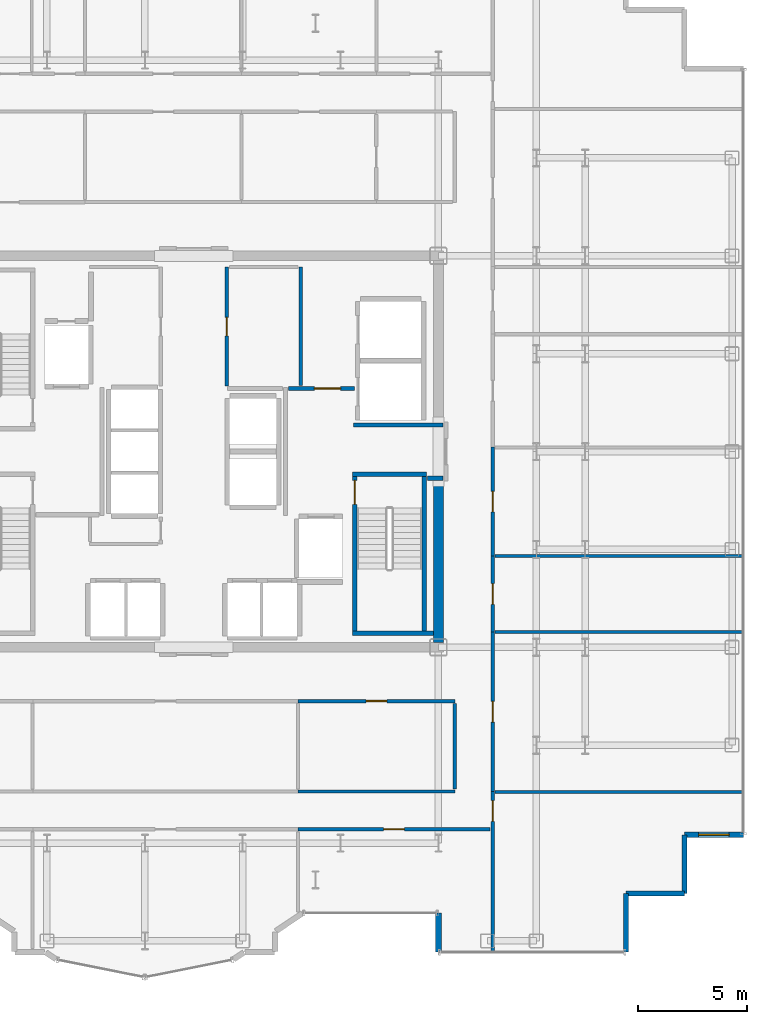
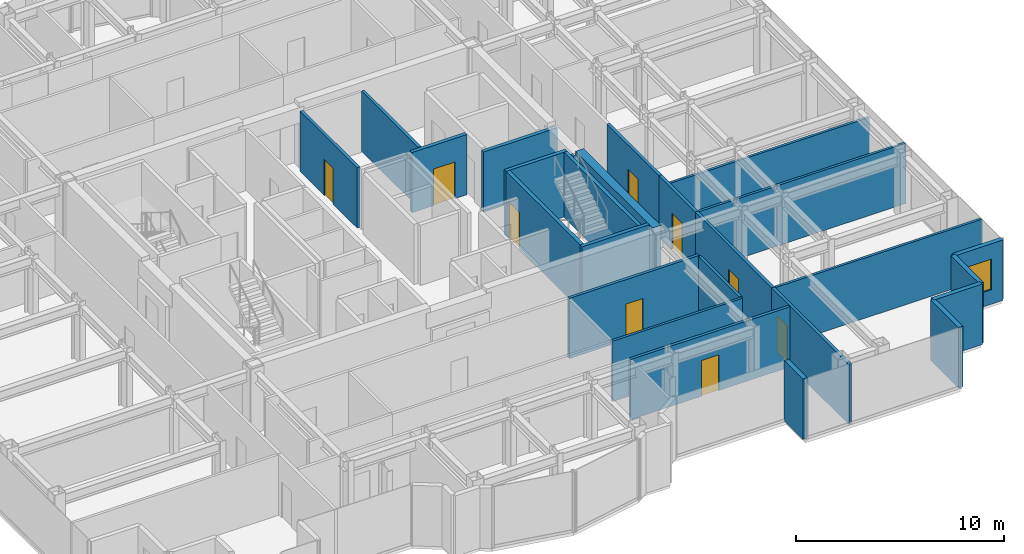
# One storey, part 16 of 20: 26 walls, 9 doors, 1 window, 10 openings.
"""IFC4 building model written with IfcOpenShell, lengths in metres."""

from ifc_helpers import new_model, si_unit, direction, frame, frame_2d, origin, place, context, subcontext, project, spatial, rectangle, extrude, source, transform, mapped, material, layer, layer_set, type_object, element, fill, save


model = new_model("IFC4")

# Units and contexts
model_context = context("Model", 3, precision=1e-05, world=origin(), true_north=direction((0.0, 1.0)))
body_context = subcontext(model_context, "Body", "Model", "MODEL_VIEW")
ifc_project = project(units=[si_unit("LENGTHUNIT", "METRE"), si_unit("AREAUNIT", "SQUARE_METRE"), si_unit("VOLUMEUNIT", "CUBIC_METRE"), si_unit("PLANEANGLEUNIT", "RADIAN"), si_unit("MASSUNIT", "GRAM", prefix="KILO")], contexts=[model_context])

# Site, building, storey
site_placement = place(None, origin())
site = spatial("IfcSite", under=ifc_project, at=site_placement, CompositionType="ELEMENT")
building_placement = place(site_placement, origin())
building = spatial("IfcBuilding", under=site, at=building_placement, Name="Nefas-Gora Pilgrimage Tower", CompositionType="ELEMENT")
storey_placement = place(building_placement, frame((0.0, 0.0, 244.60009765625)))
storey = spatial("IfcBuildingStorey", under=building, at=storey_placement, Name="L61", CompositionType="ELEMENT", Elevation=244.60009765625)

# Walls
ifc_material_1 = material(Name="Concrete C50/60", Category="concrete")
ifc_layer_1 = layer(ifc_material_1, 0.449951171875)
ifc_layer_set_1 = layer_set([ifc_layer_1], Name="Concrete C50/60")
wall_type_1 = type_object("IfcWallType", Name="SW-CORE-450", PredefinedType="SHEAR", material=ifc_layer_set_1)
shared_shape_1 = source(origin(), body_context, "Body", "SweptSolid", [
    extrude(rectangle(XDim=7.4248046875, YDim=0.449951171875, at=frame_2d((3.71240234375, 0.0))), origin(), (0.0, 0.0, 1.0), 3.7998046875),
])
wall_1_placement = place(storey_placement, frame((11.25, -8.77490234375, 0.0), z_axis=(0.0, 0.0, 1.0), x_axis=(0.0, 1.0, 0.0)))
element("IfcWall", 1, at=wall_1_placement, inside=storey, type_object=wall_type_1, Name="L61 Core Shear Wall E-South", PredefinedType="SHEAR", context=body_context, shape_type="MappedRepresentation", body=[
    mapped(shared_shape_1, transform((0.0, 0.0, 0.0), x_axis=(1.0, 0.0, 0.0), y_axis=(0.0, 1.0, 0.0), z_axis=(0.0, 0.0, 1.0), scale=1.0)),
])
ifc_material_2 = material(Name="Precast concrete C40/50", Category="concrete")
ifc_layer_2 = layer(ifc_material_2, 0.260009765625)
ifc_layer_set_2 = layer_set([ifc_layer_2], Name="Precast concrete C40/50")
wall_type_2 = type_object("IfcWallType", Name="EW-PORTAL-260", PredefinedType="SOLIDWALL", material=ifc_layer_set_2)
shared_shape_2 = source(origin(), body_context, "Body", "SweptSolid", [
    extrude(rectangle(XDim=1.800048828125, YDim=0.260009765625, at=frame_2d((0.89990234375, 0.0))), origin(), (0.0, 0.0, 1.0), 3.5498046875),
])
wall_2_placement = place(storey_placement, frame((11.25, -21.219970703125, 0.0), z_axis=(0.0, 0.0, 1.0), x_axis=(0.0, -1.0, 0.0)))
element("IfcWall", 2, at=wall_2_placement, inside=storey, type_object=wall_type_2, Name="L61 Lobe Shoulder Precast Spandrel Pier 1", PredefinedType="SOLIDWALL", context=body_context, shape_type="MappedRepresentation", body=[
    mapped(shared_shape_2, transform((0.0, 0.0, 0.0), x_axis=(1.0, 0.0, 0.0), y_axis=(0.0, 1.0, 0.0), z_axis=(0.0, 0.0, 1.0), scale=1.0)),
])
ifc_material_3 = material(Name="Precast concrete C45/55", Category="concrete")
ifc_layer_3 = layer(ifc_material_3, 0.239990234375)
ifc_layer_set_3 = layer_set([ifc_layer_3], Name="Precast concrete C45/55")
wall_type_3 = type_object("IfcWallType", Name="EW-SERR-240", PredefinedType="SHEAR", material=ifc_layer_set_3)
shared_shape_3 = source(origin(), body_context, "Body", "SweptSolid", [
    extrude(rectangle(XDim=2.699951171875, YDim=0.239990234375, at=frame_2d((1.35009765625, 0.0))), origin(), (0.0, 0.0, 1.0), 3.5498046875),
])
for number, where, z_axis, x_axis, name in (
    (3, (19.8701171875, -23.02001953125, 0.0), (0.0, 0.0, 1.0), (0.0, 1.0, 0.0), "L61 Serrated Corner Shear Pier Wall 2"),
    (4, (19.8701171875, -20.320068359375, 0.0), (0.0, 0.0, 1.0), (1.0, 0.0, 0.0), "L61 Serrated Corner Shear Pier Wall 3"),
    (5, (22.570068359375, -20.320068359375, 0.0), (0.0, 0.0, 1.0), (0.0, 1.0, 0.0), "L61 Serrated Corner Shear Pier Wall 4"),
):
    element("IfcWall", number, at=place(storey_placement, frame(where, z_axis=z_axis, x_axis=x_axis)), inside=storey, type_object=wall_type_3, Name=name, PredefinedType="SHEAR", context=body_context, shape_type="MappedRepresentation", body=[
        mapped(shared_shape_3, transform((0.0, 0.0, 0.0), x_axis=(1.0, 0.0, 0.0), y_axis=(0.0, 1.0, 0.0), z_axis=(0.0, 0.0, 1.0), scale=1.0)),
    ])

# Wall, opening, window
wall_3_placement = place(storey_placement, frame((22.570068359375, -17.6201171875, 0.0), z_axis=(0.0, 0.0, 1.0), x_axis=(1.0, 0.0, 0.0)))
wall_3 = element("IfcWall", 6, at=wall_3_placement, inside=storey, type_object=wall_type_3, Name="L61 Serrated Corner Shear Pier Wall 5", PredefinedType="SHEAR", context=body_context, shape_type="MappedRepresentation", body=[
    mapped(shared_shape_3, transform((0.0, 0.0, 0.0), x_axis=(1.0, 0.0, 0.0), y_axis=(0.0, 1.0, 0.0), z_axis=(0.0, 0.0, 1.0), scale=1.0)),
])
opening_1_placement = place(wall_3_placement, frame((0.64990234375, 0.0, 0.85009765625)))
opening_1 = element("IfcOpeningElement", 7, at=opening_1_placement, cuts=wall_3, Name="Opening W-V2", PredefinedType="OPENING", context=body_context, shape_type="SweptSolid", body=[
    extrude(rectangle(XDim=1.39990234375, YDim=1.800048828125, at=frame_2d((0.699951171875, 0.89990234375))), frame((0.0, 0.1298828125, 0.0), z_axis=(0.0, -1.0, 0.0), x_axis=(1.0, 0.0, 0.0)), (0.0, 0.0, 1.0), 0.260009765625),
])
ifc_material_4 = material(Name="Dark ceramic-fritted operable aluminium-glass window", Category="aluminium")
window_type = type_object("IfcWindowType", Name="WIN-VENT-1400x1800", PartitioningType="SINGLE_PANEL", PredefinedType="WINDOW", material=ifc_material_4)
shared_shape_4 = source(origin(), body_context, "Body", "SweptSolid", [
    extrude(rectangle(XDim=1.39990234375, YDim=1.800048828125, at=frame_2d((0.699951171875, 0.89990234375))), frame((0.0, 0.030029296875, 0.0), z_axis=(0.0, -1.0, 0.0), x_axis=(1.0, 0.0, 0.0)), (0.0, 0.0, 1.0), 0.06005859375),
])
window_placement = place(opening_1_placement, origin())
window = element("IfcWindow", 8, at=window_placement, inside=storey, type_object=window_type, Name="L61 Operable Parallel-Outswing Window 5", OverallHeight=1.800048828125, OverallWidth=1.39990234375, PartitioningType="SINGLE_PANEL", PredefinedType="WINDOW", context=body_context, shape_type="MappedRepresentation", body=[
    mapped(shared_shape_4, transform((0.0, 0.0, 0.0), x_axis=(1.0, 0.0, 0.0), y_axis=(0.0, 1.0, 0.0), z_axis=(0.0, 0.0, 1.0), scale=1.0)),
])
fill(opening_1, window)

# Wall
ifc_material_5 = material(Name="Concrete C45/55", Category="concrete")
ifc_layer_4 = layer(ifc_material_5, 0.199951171875)
ifc_layer_set_4 = layer_set([ifc_layer_4], Name="Concrete C45/55")
wall_type_4 = type_object("IfcWallType", Name="IW-STAIR-200", PredefinedType="SOLIDWALL", material=ifc_layer_set_4)
shared_shape_5 = source(origin(), body_context, "Body", "SweptSolid", [
    extrude(rectangle(XDim=3.39990234375, YDim=0.199951171875, at=frame_2d((1.699951171875, 0.0))), origin(), (0.0, 0.0, 1.0), 3.7998046875),
])
wall_4_placement = place(storey_placement, frame((7.300048828125, -1.050048828125, 0.0), z_axis=(0.0, 0.0, 1.0), x_axis=(1.0, 0.0, 0.0)))
element("IfcWall", 9, at=wall_4_placement, inside=storey, type_object=wall_type_4, Name="L61 Stairwell Shear Wall ST-02-near", PredefinedType="SOLIDWALL", context=body_context, shape_type="MappedRepresentation", body=[
    mapped(shared_shape_5, transform((0.0, 0.0, 0.0), x_axis=(1.0, 0.0, 0.0), y_axis=(0.0, 1.0, 0.0), z_axis=(0.0, 0.0, 1.0), scale=1.0)),
])

# Wall, opening, door
shared_shape_6 = source(origin(), body_context, "Body", "SweptSolid", [
    extrude(rectangle(XDim=7.10009765625, YDim=0.199951171875, at=frame_2d((3.550048828125, 0.0))), origin(), (0.0, 0.0, 1.0), 3.7998046875),
])
wall_5_placement = place(storey_placement, frame((7.39990234375, -1.14990234375, 0.0), z_axis=(0.0, 0.0, 1.0), x_axis=(0.0, -1.0, 0.0)))
wall_5 = element("IfcWall", 10, at=wall_5_placement, inside=storey, type_object=wall_type_4, Name="L61 Stairwell Shear Wall ST-02-left", PredefinedType="SOLIDWALL", context=body_context, shape_type="MappedRepresentation", body=[
    mapped(shared_shape_6, transform((0.0, 0.0, 0.0), x_axis=(1.0, 0.0, 0.0), y_axis=(0.0, 1.0, 0.0), z_axis=(0.0, 0.0, 1.0), scale=1.0)),
])
opening_2_placement = place(wall_5_placement, frame((0.179931640625, 0.0, 0.0)))
opening_2 = element("IfcOpeningElement", 11, at=opening_2_placement, cuts=wall_5, Name="Opening ID-ST1", PredefinedType="OPENING", context=body_context, shape_type="SweptSolid", body=[
    extrude(rectangle(XDim=1.10009765625, YDim=2.14990234375, at=frame_2d((0.550048828125, 1.074951171875))), frame((0.0, 0.10986328125, 0.0), z_axis=(0.0, -1.0, 0.0), x_axis=(1.0, 0.0, 0.0)), (0.0, 0.0, 1.0), 0.219970703125),
])
ifc_material_6 = material(Name="Painted galvanised steel fire stair door", Category="steel")
door_type_1 = type_object("IfcDoorType", Name="DR-INT-STAIR-1100", OperationType="NOTDEFINED", PredefinedType="DOOR", material=ifc_material_6)
shared_shape_7 = source(origin(), body_context, "Body", "SweptSolid", [
    extrude(rectangle(XDim=1.10009765625, YDim=2.14990234375, at=frame_2d((0.550048828125, 1.074951171875))), frame((0.0, 0.02490234375, 0.0), z_axis=(0.0, -1.0, 0.0), x_axis=(1.0, 0.0, 0.0)), (0.0, 0.0, 1.0), 0.050048828125),
])
door_1_placement = place(opening_2_placement, origin())
door_1 = element("IfcDoor", 12, at=door_1_placement, inside=storey, type_object=door_type_1, Name="L61 Protected Exit Stair Door ST-02", OperationType="SINGLE_SWING_RIGHT", OverallHeight=2.14990234375, OverallWidth=1.10009765625, PredefinedType="DOOR", context=body_context, shape_type="MappedRepresentation", body=[
    mapped(shared_shape_7, transform((0.0, 0.0, 0.0), x_axis=(1.0, 0.0, 0.0), y_axis=(0.0, 1.0, 0.0), z_axis=(0.0, 0.0, 1.0), scale=1.0)),
])
fill(opening_2, door_1)

# Walls
wall_6_placement = place(storey_placement, frame((10.60009765625, -1.14990234375, 0.0), z_axis=(0.0, 0.0, 1.0), x_axis=(0.0, -1.0, 0.0)))
element("IfcWall", 13, at=wall_6_placement, inside=storey, type_object=wall_type_4, Name="L61 Stairwell Shear Wall ST-02-right", PredefinedType="SOLIDWALL", context=body_context, shape_type="MappedRepresentation", body=[
    mapped(shared_shape_6, transform((0.0, 0.0, 0.0), x_axis=(1.0, 0.0, 0.0), y_axis=(0.0, 1.0, 0.0), z_axis=(0.0, 0.0, 1.0), scale=1.0)),
])
shared_shape_8 = source(origin(), body_context, "Body", "SweptSolid", [
    extrude(rectangle(XDim=3.72998046875, YDim=0.199951171875, at=frame_2d((1.864990234375, 0.0))), origin(), (0.0, 0.0, 1.0), 3.7998046875),
])
wall_7_placement = place(storey_placement, frame((7.300048828125, -8.35009765625, 0.0), z_axis=(0.0, 0.0, 1.0), x_axis=(1.0, 0.0, 0.0)))
element("IfcWall", 14, at=wall_7_placement, inside=storey, type_object=wall_type_4, Name="L61 Stairwell Shear Wall ST-02-far", PredefinedType="SOLIDWALL", context=body_context, shape_type="MappedRepresentation", body=[
    mapped(shared_shape_8, transform((0.0, 0.0, 0.0), x_axis=(1.0, 0.0, 0.0), y_axis=(0.0, 1.0, 0.0), z_axis=(0.0, 0.0, 1.0), scale=1.0)),
])
ifc_material_7 = material(Name="Gypsum fire-rated shaftwall")
ifc_layer_5 = layer(ifc_material_7, 0.199951171875)
ifc_layer_set_5 = layer_set([ifc_layer_5], Name="Gypsum fire-rated shaftwall")
wall_type_5 = type_object("IfcWallType", Name="IW-FFLOB-200", PredefinedType="PARTITIONING", material=ifc_layer_set_5)
shared_shape_9 = source(origin(), body_context, "Body", "SweptSolid", [
    extrude(rectangle(XDim=0.719970703125, YDim=0.199951171875, at=frame_2d((0.35986328125, 0.0))), origin(), (0.0, 0.0, 1.0), 3.534912109375),
])
wall_8_placement = place(storey_placement, frame((10.739990234375, -1.219970703125, 0.0), z_axis=(0.0, 0.0, 1.0), x_axis=(1.0, 0.0, 0.0)))
element("IfcWall", 15, at=wall_8_placement, inside=storey, type_object=wall_type_5, Name="L61 FF Lobby East Throat S Wall 14", PredefinedType="PARTITIONING", context=body_context, shape_type="MappedRepresentation", body=[
    mapped(shared_shape_9, transform((0.0, 0.0, 0.0), x_axis=(1.0, 0.0, 0.0), y_axis=(0.0, 1.0, 0.0), z_axis=(0.0, 0.0, 1.0), scale=1.0)),
])

# Wall, opening, door
shared_shape_10 = source(origin(), body_context, "Body", "SweptSolid", [
    extrude(rectangle(XDim=3.039794921875, YDim=0.199951171875, at=frame_2d((1.52001953125, 0.0))), origin(), (0.0, 0.0, 1.0), 3.534912109375),
])
wall_9_placement = place(storey_placement, frame((4.360107421875, 2.89990234375, 0.0), z_axis=(0.0, 0.0, 1.0), x_axis=(1.0, 0.0, 0.0)))
wall_9 = element("IfcWall", 16, at=wall_9_placement, inside=storey, type_object=wall_type_5, Name="L61 FF Lobby East North Wall Wall 12", PredefinedType="PARTITIONING", context=body_context, shape_type="MappedRepresentation", body=[
    mapped(shared_shape_10, transform((0.0, 0.0, 0.0), x_axis=(1.0, 0.0, 0.0), y_axis=(0.0, 1.0, 0.0), z_axis=(0.0, 0.0, 1.0), scale=1.0)),
])
opening_3_placement = place(wall_9_placement, frame((1.18994140625, 0.0, 0.0)))
opening_3 = element("IfcOpeningElement", 17, at=opening_3_placement, cuts=wall_9, Name="Opening ID-PL1", PredefinedType="OPENING", context=body_context, shape_type="SweptSolid", body=[
    extrude(rectangle(XDim=1.199951171875, YDim=2.14990234375, at=frame_2d((0.60009765625, 1.074951171875))), frame((0.0, 0.10986328125, 0.0), z_axis=(0.0, -1.0, 0.0), x_axis=(1.0, 0.0, 0.0)), (0.0, 0.0, 1.0), 0.219970703125),
])
ifc_material_8 = material(Name="Heavy-duty steel plant room fire door", Category="steel")
door_type_2 = type_object("IfcDoorType", Name="DR-INT-PLANT-1200", OperationType="NOTDEFINED", PredefinedType="DOOR", material=ifc_material_8)
shared_shape_11 = source(origin(), body_context, "Body", "SweptSolid", [
    extrude(rectangle(XDim=1.199951171875, YDim=2.14990234375, at=frame_2d((0.60009765625, 1.074951171875))), frame((0.0, 0.02490234375, 0.0), z_axis=(0.0, -1.0, 0.0), x_axis=(1.0, 0.0, 0.0)), (0.0, 0.0, 1.0), 0.050048828125),
])
door_2_placement = place(opening_3_placement, origin())
door_2 = element("IfcDoor", 18, at=door_2_placement, inside=storey, type_object=door_type_2, Name="L61 Service Lift Lobby Door Door 4", OperationType="SINGLE_SWING_RIGHT", OverallHeight=2.14990234375, OverallWidth=1.199951171875, PredefinedType="DOOR", context=body_context, shape_type="MappedRepresentation", body=[
    mapped(shared_shape_11, transform((0.0, 0.0, 0.0), x_axis=(1.0, 0.0, 0.0), y_axis=(0.0, 1.0, 0.0), z_axis=(0.0, 0.0, 1.0), scale=1.0)),
])
fill(opening_3, door_2)

# Wall
shared_shape_12 = source(origin(), body_context, "Body", "SweptSolid", [
    extrude(rectangle(XDim=4.10986328125, YDim=0.199951171875, at=frame_2d((2.054931640625, 0.0))), origin(), (0.0, 0.0, 1.0), 3.534912109375),
])
wall_10_placement = place(storey_placement, frame((7.35009765625, 1.219970703125, 0.0), z_axis=(0.0, 0.0, 1.0), x_axis=(1.0, 0.0, 0.0)))
element("IfcWall", 19, at=wall_10_placement, inside=storey, type_object=wall_type_5, Name="L61 FF Lobby East Throat N Wall 13", PredefinedType="PARTITIONING", context=body_context, shape_type="MappedRepresentation", body=[
    mapped(shared_shape_12, transform((0.0, 0.0, 0.0), x_axis=(1.0, 0.0, 0.0), y_axis=(0.0, 1.0, 0.0), z_axis=(0.0, 0.0, 1.0), scale=1.0)),
])

# Wall, opening, door
ifc_material_9 = material(Name="Gypsum acoustic stud partition")
ifc_layer_6 = layer(ifc_material_9, 0.159912109375)
ifc_layer_set_6 = layer_set([ifc_layer_6], Name="Gypsum acoustic stud partition")
wall_type_6 = type_object("IfcWallType", Name="IW-CORR-160", PredefinedType="PARTITIONING", material=ifc_layer_set_6)
shared_shape_13 = source(origin(), body_context, "Body", "SweptSolid", [
    extrude(rectangle(XDim=3.510009765625, YDim=0.159912109375, at=frame_2d((1.7548828125, 0.0))), origin(), (0.0, 0.0, 1.0), 3.534912109375),
])
wall_11_placement = place(storey_placement, frame((13.739990234375, -8.304931640625, 0.0), z_axis=(0.0, 0.0, 1.0), x_axis=(0.0, 1.0, 0.0)))
wall_11 = element("IfcWall", 20, at=wall_11_placement, inside=storey, type_object=wall_type_6, Name="L61 Pastoral Chaplains Counselling Office Partition Wall 41", PredefinedType="PARTITIONING", context=body_context, shape_type="MappedRepresentation", body=[
    mapped(shared_shape_13, transform((0.0, 0.0, 0.0), x_axis=(1.0, 0.0, 0.0), y_axis=(0.0, 1.0, 0.0), z_axis=(0.0, 0.0, 1.0), scale=1.0)),
])
opening_4_placement = place(wall_11_placement, frame((1.280029296875, 0.0, 0.0)))
opening_4 = element("IfcOpeningElement", 21, at=opening_4_placement, cuts=wall_11, Name="Opening ID-GR1", PredefinedType="OPENING", context=body_context, shape_type="SweptSolid", body=[
    extrude(rectangle(XDim=0.949951171875, YDim=2.10009765625, at=frame_2d((0.47509765625, 1.050048828125))), frame((0.0, 0.08984375, 0.0), z_axis=(0.0, -1.0, 0.0), x_axis=(1.0, 0.0, 0.0)), (0.0, 0.0, 1.0), 0.179931640625),
])
ifc_material_10 = material(Name="Solid core oak fire-rated guest entrance door")
door_type_3 = type_object("IfcDoorType", Name="DR-INT-GUEST-950", OperationType="NOTDEFINED", PredefinedType="DOOR", material=ifc_material_10)
shared_shape_14 = source(origin(), body_context, "Body", "SweptSolid", [
    extrude(rectangle(XDim=0.949951171875, YDim=2.10009765625, at=frame_2d((0.47509765625, 1.050048828125))), frame((0.0, 0.02490234375, 0.0), z_axis=(0.0, -1.0, 0.0), x_axis=(1.0, 0.0, 0.0)), (0.0, 0.0, 1.0), 0.050048828125),
])
door_3_placement = place(opening_4_placement, origin())
door_3 = element("IfcDoor", 22, at=door_3_placement, inside=storey, type_object=door_type_3, Name="L61 Pastoral Chaplains Counselling Office Door 18", OperationType="SINGLE_SWING_RIGHT", OverallHeight=2.10009765625, OverallWidth=0.949951171875, PredefinedType="DOOR", context=body_context, shape_type="MappedRepresentation", body=[
    mapped(shared_shape_14, transform((0.0, 0.0, 0.0), x_axis=(1.0, 0.0, 0.0), y_axis=(0.0, 1.0, 0.0), z_axis=(0.0, 0.0, 1.0), scale=1.0)),
])
fill(opening_4, door_3)

# Walls
ifc_material_11 = material(Name="Gypsum twin-stud partition")
ifc_layer_7 = layer(ifc_material_11, 0.139892578125)
ifc_layer_set_7 = layer_set([ifc_layer_7], Name="Gypsum twin-stud partition")
wall_type_7 = type_object("IfcWallType", Name="IW-UNIT-140", PredefinedType="PARTITIONING", material=ifc_layer_set_7)
shared_shape_15 = source(origin(), body_context, "Body", "SweptSolid", [
    extrude(rectangle(XDim=11.429931640625, YDim=0.139892578125, at=frame_2d((5.71484375, 0.0))), origin(), (0.0, 0.0, 1.0), 3.534912109375),
])
for number, where, z_axis, x_axis, name in (
    (23, (13.860107421875, -15.6474609375, 0.0), (0.0, 0.0, 1.0), (1.0, 0.0, 0.0), "L61 Pilgrim Tea and Beverage Pantry Partition Wall 38"),
    (24, (13.860107421875, -8.304931640625, 0.0), (0.0, 0.0, 1.0), (1.0, 0.0, 0.0), "L61 Pilgrim Tea and Beverage Pantry Partition Wall 40"),
):
    element("IfcWall", number, at=place(storey_placement, frame(where, z_axis=z_axis, x_axis=x_axis)), inside=storey, type_object=wall_type_7, Name=name, PredefinedType="PARTITIONING", context=body_context, shape_type="MappedRepresentation", body=[
        mapped(shared_shape_15, transform((0.0, 0.0, 0.0), x_axis=(1.0, 0.0, 0.0), y_axis=(0.0, 1.0, 0.0), z_axis=(0.0, 0.0, 1.0), scale=1.0)),
    ])
shared_shape_16 = source(origin(), body_context, "Body", "SweptSolid", [
    extrude(rectangle(XDim=3.929931640625, YDim=0.139892578125, at=frame_2d((1.96484375, 0.0))), origin(), (0.0, 0.0, 1.0), 3.534912109375),
])
wall_12_placement = place(storey_placement, frame((12.0, -15.52001953125, 0.0), z_axis=(0.0, 0.0, 1.0), x_axis=(0.0, 1.0, 0.0)))
element("IfcWall", 25, at=wall_12_placement, inside=storey, type_object=wall_type_7, Name="L61 Pilgrim Contemplative Lounge Partition Wall 87", PredefinedType="PARTITIONING", context=body_context, shape_type="MappedRepresentation", body=[
    mapped(shared_shape_16, transform((0.0, 0.0, 0.0), x_axis=(1.0, 0.0, 0.0), y_axis=(0.0, 1.0, 0.0), z_axis=(0.0, 0.0, 1.0), scale=1.0)),
])
shared_shape_17 = source(origin(), body_context, "Body", "SweptSolid", [
    extrude(rectangle(XDim=5.449951171875, YDim=0.159912109375, at=frame_2d((2.72509765625, 0.0))), origin(), (0.0, 0.0, 1.0), 3.534912109375),
])
wall_13_placement = place(storey_placement, frame((4.919921875, 3.0400390625, 0.0), z_axis=(0.0, 0.0, 1.0), x_axis=(0.0, 1.0, 0.0)))
element("IfcWall", 26, at=wall_13_placement, inside=storey, type_object=wall_type_6, Name="L61 Service Lift Lobby West Wall Wall 17", PredefinedType="PARTITIONING", context=body_context, shape_type="MappedRepresentation", body=[
    mapped(shared_shape_17, transform((0.0, 0.0, 0.0), x_axis=(1.0, 0.0, 0.0), y_axis=(0.0, 1.0, 0.0), z_axis=(0.0, 0.0, 1.0), scale=1.0)),
])

# Wall, opening, door
shared_shape_18 = source(origin(), body_context, "Body", "SweptSolid", [
    extrude(rectangle(XDim=5.47998046875, YDim=0.159912109375, at=frame_2d((2.739990234375, 0.0))), origin(), (0.0, 0.0, 1.0), 3.534912109375),
])
wall_14_placement = place(storey_placement, frame((1.52001953125, 3.010009765625, 0.0), z_axis=(0.0, 0.0, 1.0), x_axis=(0.0, 1.0, 0.0)))
wall_14 = element("IfcWall", 27, at=wall_14_placement, inside=storey, type_object=wall_type_6, Name="L61 Freed Bank-1 Amenity Supply Store Wall 23", PredefinedType="PARTITIONING", context=body_context, shape_type="MappedRepresentation", body=[
    mapped(shared_shape_18, transform((0.0, 0.0, 0.0), x_axis=(1.0, 0.0, 0.0), y_axis=(0.0, 1.0, 0.0), z_axis=(0.0, 0.0, 1.0), scale=1.0)),
])
opening_5_placement = place(wall_14_placement, frame((2.31494140625, 0.0, 0.0)))
opening_5 = element("IfcOpeningElement", 28, at=opening_5_placement, cuts=wall_14, Name="Opening ID-BT1", PredefinedType="OPENING", context=body_context, shape_type="SweptSolid", body=[
    extrude(rectangle(XDim=0.85009765625, YDim=2.10009765625, at=frame_2d((0.425048828125, 1.050048828125))), frame((0.0, 0.08984375, 0.0), z_axis=(0.0, -1.0, 0.0), x_axis=(1.0, 0.0, 0.0)), (0.0, 0.0, 1.0), 0.179931640625),
])
ifc_material_12 = material(Name="Moisture-resistant fire-rated timber door", Category="wood")
door_type_4 = type_object("IfcDoorType", Name="DR-INT-BATH-850", OperationType="NOTDEFINED", PredefinedType="DOOR", material=ifc_material_12)
shared_shape_19 = source(origin(), body_context, "Body", "SweptSolid", [
    extrude(rectangle(XDim=0.85009765625, YDim=2.10009765625, at=frame_2d((0.425048828125, 1.050048828125))), frame((0.0, 0.02490234375, 0.0), z_axis=(0.0, -1.0, 0.0), x_axis=(1.0, 0.0, 0.0)), (0.0, 0.0, 1.0), 0.050048828125),
])
door_4_placement = place(opening_5_placement, origin())
door_4 = element("IfcDoor", 29, at=door_4_placement, inside=storey, type_object=door_type_4, Name="L61 Freed Bank-1 Amenity Supply Store Door 9", OperationType="SINGLE_SWING_LEFT", OverallHeight=2.10009765625, OverallWidth=0.85009765625, PredefinedType="DOOR", context=body_context, shape_type="MappedRepresentation", body=[
    mapped(shared_shape_19, transform((0.0, 0.0, 0.0), x_axis=(1.0, 0.0, 0.0), y_axis=(0.0, 1.0, 0.0), z_axis=(0.0, 0.0, 1.0), scale=1.0)),
])
fill(opening_5, door_4)

shared_shape_20 = source(origin(), body_context, "Body", "SweptSolid", [
    extrude(rectangle(XDim=7.215087890625, YDim=0.159912109375, at=frame_2d((3.607421875, 0.0))), origin(), (0.0, 0.0, 1.0), 3.534912109375),
])
wall_15_placement = place(storey_placement, frame((4.794921875, -11.469970703125, 0.0), z_axis=(0.0, 0.0, 1.0), x_axis=(1.0, 0.0, 0.0)))
wall_15 = element("IfcWall", 30, at=wall_15_placement, inside=storey, type_object=wall_type_6, Name="L61 Pilgrim Contemplative Lounge Partition Wall 85", PredefinedType="PARTITIONING", context=body_context, shape_type="MappedRepresentation", body=[
    mapped(shared_shape_20, transform((0.0, 0.0, 0.0), x_axis=(1.0, 0.0, 0.0), y_axis=(0.0, 1.0, 0.0), z_axis=(0.0, 0.0, 1.0), scale=1.0)),
])
opening_6_placement = place(wall_15_placement, frame((3.132568359375, 0.0, 0.0)))
opening_6 = element("IfcOpeningElement", 31, at=opening_6_placement, cuts=wall_15, Name="Opening ID-GR1", PredefinedType="OPENING", context=body_context, shape_type="SweptSolid", body=[
    extrude(rectangle(XDim=0.949951171875, YDim=2.10009765625, at=frame_2d((0.47509765625, 1.050048828125))), frame((0.0, 0.08984375, 0.0), z_axis=(0.0, -1.0, 0.0), x_axis=(1.0, 0.0, 0.0)), (0.0, 0.0, 1.0), 0.179931640625),
])
door_5_placement = place(opening_6_placement, origin())
door_5 = element("IfcDoor", 32, at=door_5_placement, inside=storey, type_object=door_type_3, Name="L61 Pilgrim Contemplative Lounge Door 38", OperationType="SINGLE_SWING_RIGHT", OverallHeight=2.10009765625, OverallWidth=0.949951171875, PredefinedType="DOOR", context=body_context, shape_type="MappedRepresentation", body=[
    mapped(shared_shape_14, transform((0.0, 0.0, 0.0), x_axis=(1.0, 0.0, 0.0), y_axis=(0.0, 1.0, 0.0), z_axis=(0.0, 0.0, 1.0), scale=1.0)),
])
fill(opening_6, door_5)

# Wall
shared_shape_21 = source(origin(), body_context, "Body", "SweptSolid", [
    extrude(rectangle(XDim=7.215087890625, YDim=0.139892578125, at=frame_2d((3.607421875, 0.0))), origin(), (0.0, 0.0, 1.0), 3.534912109375),
])
wall_16_placement = place(storey_placement, frame((4.794921875, -15.6298828125, 0.0), z_axis=(0.0, 0.0, 1.0), x_axis=(1.0, 0.0, 0.0)))
element("IfcWall", 33, at=wall_16_placement, inside=storey, type_object=wall_type_7, Name="L61 Pilgrim Contemplative Lounge Partition Wall 86", PredefinedType="PARTITIONING", context=body_context, shape_type="MappedRepresentation", body=[
    mapped(shared_shape_21, transform((0.0, 0.0, 0.0), x_axis=(1.0, 0.0, 0.0), y_axis=(0.0, 1.0, 0.0), z_axis=(0.0, 0.0, 1.0), scale=1.0)),
])

# Wall, opening, door
shared_shape_22 = source(origin(), body_context, "Body", "SweptSolid", [
    extrude(rectangle(XDim=5.010009765625, YDim=0.159912109375, at=frame_2d((2.5048828125, 0.0))), origin(), (0.0, 0.0, 1.0), 3.534912109375),
])
wall_17_placement = place(storey_placement, frame((13.739990234375, -4.804931640625, 0.0), z_axis=(0.0, 0.0, 1.0), x_axis=(0.0, 1.0, 0.0)))
wall_17 = element("IfcWall", 34, at=wall_17_placement, inside=storey, type_object=wall_type_6, Name="L61 Pilgrim Fellowship Seminar Room Partition Wall 43", PredefinedType="PARTITIONING", context=body_context, shape_type="MappedRepresentation", body=[
    mapped(shared_shape_22, transform((0.0, 0.0, 0.0), x_axis=(1.0, 0.0, 0.0), y_axis=(0.0, 1.0, 0.0), z_axis=(0.0, 0.0, 1.0), scale=1.0)),
])
opening_7_placement = place(wall_17_placement, frame((2.030029296875, 0.0, 0.0)))
opening_7 = element("IfcOpeningElement", 35, at=opening_7_placement, cuts=wall_17, Name="Opening ID-GR1", PredefinedType="OPENING", context=body_context, shape_type="SweptSolid", body=[
    extrude(rectangle(XDim=0.949951171875, YDim=2.10009765625, at=frame_2d((0.47509765625, 1.050048828125))), frame((0.0, 0.08984375, 0.0), z_axis=(0.0, -1.0, 0.0), x_axis=(1.0, 0.0, 0.0)), (0.0, 0.0, 1.0), 0.179931640625),
])
door_6_placement = place(opening_7_placement, origin())
door_6 = element("IfcDoor", 36, at=door_6_placement, inside=storey, type_object=door_type_3, Name="L61 Pilgrim Fellowship Seminar Room Door 19", OperationType="SINGLE_SWING_LEFT", OverallHeight=2.10009765625, OverallWidth=0.949951171875, PredefinedType="DOOR", context=body_context, shape_type="MappedRepresentation", body=[
    mapped(shared_shape_14, transform((0.0, 0.0, 0.0), x_axis=(1.0, 0.0, 0.0), y_axis=(0.0, 1.0, 0.0), z_axis=(0.0, 0.0, 1.0), scale=1.0)),
])
fill(opening_7, door_6)

shared_shape_23 = source(origin(), body_context, "Body", "SweptSolid", [
    extrude(rectangle(XDim=7.342529296875, YDim=0.159912109375, at=frame_2d((3.67138671875, 0.0))), origin(), (0.0, 0.0, 1.0), 3.534912109375),
])
wall_18_placement = place(storey_placement, frame((13.739990234375, -15.637451171875, 0.0), z_axis=(0.0, 0.0, 1.0), x_axis=(0.0, 1.0, 0.0)))
wall_18 = element("IfcWall", 37, at=wall_18_placement, inside=storey, type_object=wall_type_6, Name="L61 Pilgrim Tea and Beverage Pantry Partition Wall 39", PredefinedType="PARTITIONING", context=body_context, shape_type="MappedRepresentation", body=[
    mapped(shared_shape_23, transform((0.0, 0.0, 0.0), x_axis=(1.0, 0.0, 0.0), y_axis=(0.0, 1.0, 0.0), z_axis=(0.0, 0.0, 1.0), scale=1.0)),
])
opening_8_placement = place(wall_18_placement, frame((3.1962890625, 0.0, 0.0)))
opening_8 = element("IfcOpeningElement", 38, at=opening_8_placement, cuts=wall_18, Name="Opening ID-GR1", PredefinedType="OPENING", context=body_context, shape_type="SweptSolid", body=[
    extrude(rectangle(XDim=0.949951171875, YDim=2.10009765625, at=frame_2d((0.47509765625, 1.050048828125))), frame((0.0, 0.08984375, 0.0), z_axis=(0.0, -1.0, 0.0), x_axis=(1.0, 0.0, 0.0)), (0.0, 0.0, 1.0), 0.179931640625),
])
door_7_placement = place(opening_8_placement, origin())
door_7 = element("IfcDoor", 39, at=door_7_placement, inside=storey, type_object=door_type_3, Name="L61 Pilgrim Tea and Beverage Pantry Door 17", OperationType="SINGLE_SWING_LEFT", OverallHeight=2.10009765625, OverallWidth=0.949951171875, PredefinedType="DOOR", context=body_context, shape_type="MappedRepresentation", body=[
    mapped(shared_shape_14, transform((0.0, 0.0, 0.0), x_axis=(1.0, 0.0, 0.0), y_axis=(0.0, 1.0, 0.0), z_axis=(0.0, 0.0, 1.0), scale=1.0)),
])
fill(opening_8, door_7)

# Wall
shared_shape_24 = source(origin(), body_context, "Body", "SweptSolid", [
    extrude(rectangle(XDim=11.429931640625, YDim=0.139892578125, at=frame_2d((5.71484375, 0.0))), origin(), (0.0, 0.0, 1.0), 2.9248046875),
])
wall_19_placement = place(storey_placement, frame((13.860107421875, -4.804931640625, 0.0), z_axis=(0.0, 0.0, 1.0), x_axis=(1.0, 0.0, 0.0)))
element("IfcWall", 40, at=wall_19_placement, inside=storey, type_object=wall_type_7, Name="L61 Pastoral Chaplains Counselling Office Partition Wall 42", PredefinedType="PARTITIONING", context=body_context, shape_type="MappedRepresentation", body=[
    mapped(shared_shape_24, transform((0.0, 0.0, 0.0), x_axis=(1.0, 0.0, 0.0), y_axis=(0.0, 1.0, 0.0), z_axis=(0.0, 0.0, 1.0), scale=1.0)),
])

# Wall, opening, door
shared_shape_25 = source(origin(), body_context, "Body", "SweptSolid", [
    extrude(rectangle(XDim=7.402587890625, YDim=0.159912109375, at=frame_2d((3.701171875, 0.0))), origin(), (0.0, 0.0, 1.0), 3.534912109375),
])
wall_20_placement = place(storey_placement, frame((13.739990234375, -23.0400390625, 0.0), z_axis=(0.0, 0.0, 1.0), x_axis=(0.0, 1.0, 0.0)))
wall_20 = element("IfcWall", 41, at=wall_20_placement, inside=storey, type_object=wall_type_6, Name="L61 Pilgrim Tea and Beverage Pantry Partition Wall 37", PredefinedType="PARTITIONING", context=body_context, shape_type="MappedRepresentation", body=[
    mapped(shared_shape_25, transform((0.0, 0.0, 0.0), x_axis=(1.0, 0.0, 0.0), y_axis=(0.0, 1.0, 0.0), z_axis=(0.0, 0.0, 1.0), scale=1.0)),
])
opening_9_placement = place(wall_20_placement, frame((6.041259765625, 0.0, 0.0)))
opening_9 = element("IfcOpeningElement", 42, at=opening_9_placement, cuts=wall_20, Name="Opening ID-GR1", PredefinedType="OPENING", context=body_context, shape_type="SweptSolid", body=[
    extrude(rectangle(XDim=0.949951171875, YDim=2.10009765625, at=frame_2d((0.47509765625, 1.050048828125))), frame((0.0, 0.08984375, 0.0), z_axis=(0.0, -1.0, 0.0), x_axis=(1.0, 0.0, 0.0)), (0.0, 0.0, 1.0), 0.179931640625),
])
door_8_placement = place(opening_9_placement, origin())
door_8 = element("IfcDoor", 43, at=door_8_placement, inside=storey, type_object=door_type_3, Name="L61 Pilgrim Tea and Beverage Pantry Door 16", OperationType="SINGLE_SWING_RIGHT", OverallHeight=2.10009765625, OverallWidth=0.949951171875, PredefinedType="DOOR", context=body_context, shape_type="MappedRepresentation", body=[
    mapped(shared_shape_14, transform((0.0, 0.0, 0.0), x_axis=(1.0, 0.0, 0.0), y_axis=(0.0, 1.0, 0.0), z_axis=(0.0, 0.0, 1.0), scale=1.0)),
])
fill(opening_9, door_8)

shared_shape_26 = source(origin(), body_context, "Body", "SweptSolid", [
    extrude(rectangle(XDim=8.8251953125, YDim=0.159912109375, at=frame_2d((4.41259765625, 0.0))), origin(), (0.0, 0.0, 1.0), 3.534912109375),
])
wall_21_placement = place(storey_placement, frame((4.794921875, -17.3701171875, 0.0), z_axis=(0.0, 0.0, 1.0), x_axis=(1.0, 0.0, 0.0)))
wall_21 = element("IfcWall", 44, at=wall_21_placement, inside=storey, type_object=wall_type_6, Name="L61 Pilgrim Contemplative Lounge Partition Wall 84", PredefinedType="PARTITIONING", context=body_context, shape_type="MappedRepresentation", body=[
    mapped(shared_shape_26, transform((0.0, 0.0, 0.0), x_axis=(1.0, 0.0, 0.0), y_axis=(0.0, 1.0, 0.0), z_axis=(0.0, 0.0, 1.0), scale=1.0)),
])
opening_10_placement = place(wall_21_placement, frame((3.9375, 0.0, 0.0)))
opening_10 = element("IfcOpeningElement", 45, at=opening_10_placement, cuts=wall_21, Name="Opening ID-GR1", PredefinedType="OPENING", context=body_context, shape_type="SweptSolid", body=[
    extrude(rectangle(XDim=0.949951171875, YDim=2.10009765625, at=frame_2d((0.47509765625, 1.050048828125))), frame((0.0, 0.08984375, 0.0), z_axis=(0.0, -1.0, 0.0), x_axis=(1.0, 0.0, 0.0)), (0.0, 0.0, 1.0), 0.179931640625),
])
door_9_placement = place(opening_10_placement, origin())
door_9 = element("IfcDoor", 46, at=door_9_placement, inside=storey, type_object=door_type_3, Name="L61 Pilgrim Contemplative Lounge Door 37", OperationType="SINGLE_SWING_LEFT", OverallHeight=2.10009765625, OverallWidth=0.949951171875, PredefinedType="DOOR", context=body_context, shape_type="MappedRepresentation", body=[
    mapped(shared_shape_14, transform((0.0, 0.0, 0.0), x_axis=(1.0, 0.0, 0.0), y_axis=(0.0, 1.0, 0.0), z_axis=(0.0, 0.0, 1.0), scale=1.0)),
])
fill(opening_10, door_9)

save(model, "model.ifc")
